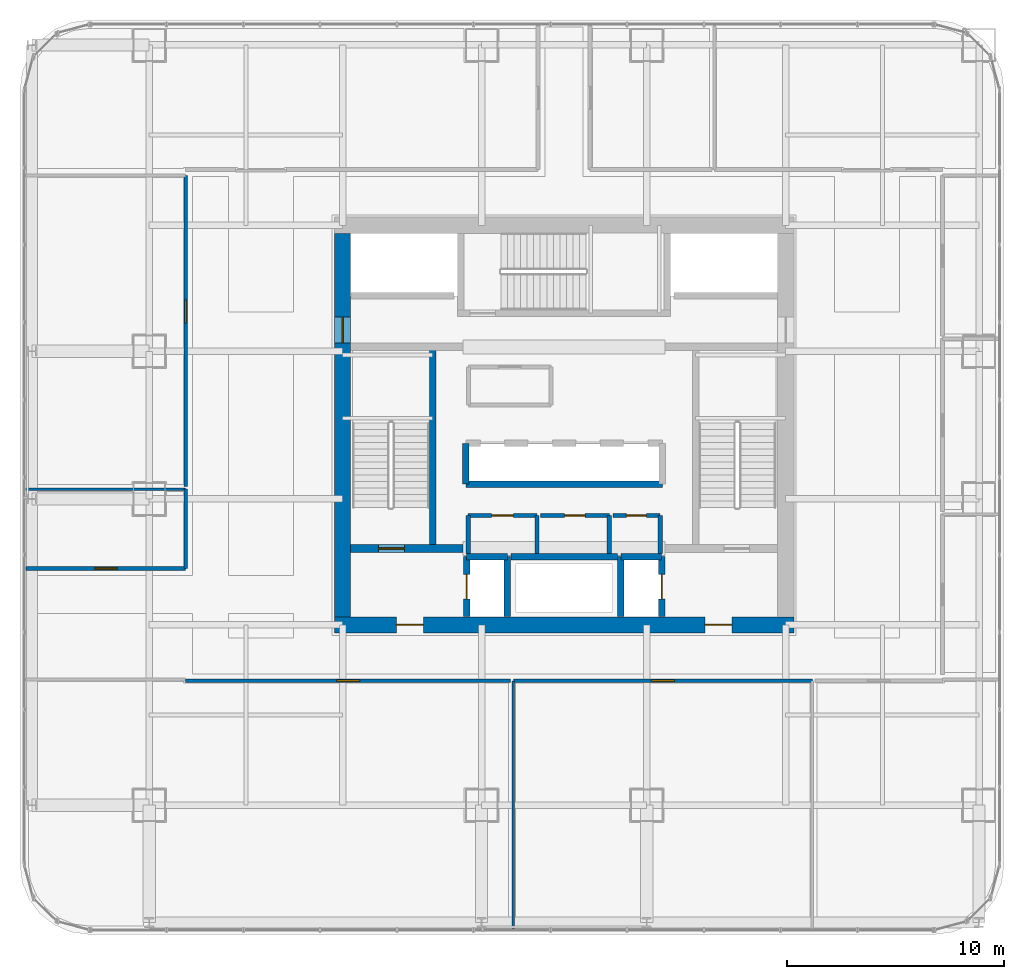
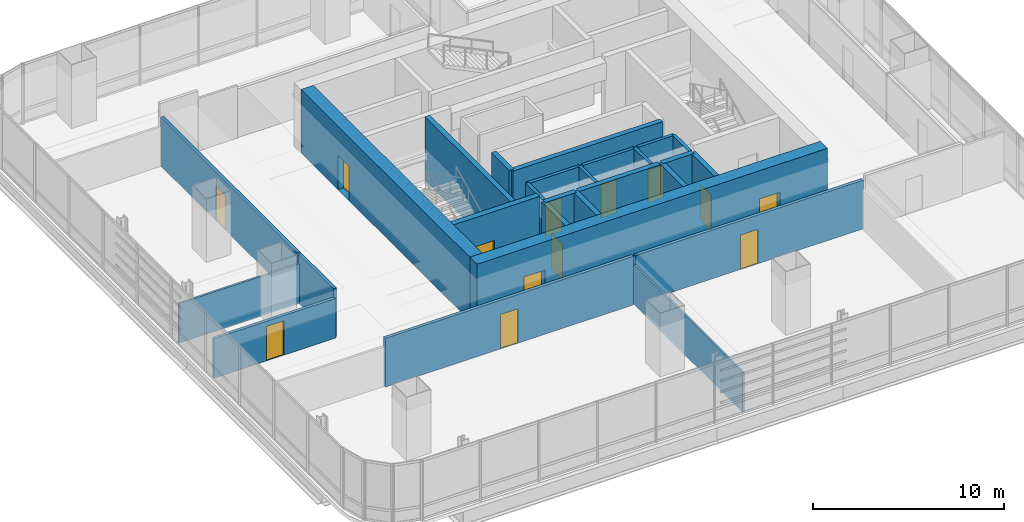
# One storey, part 28 of 36: 27 walls, 13 doors, 13 openings.
"""IFC4 building model written with IfcOpenShell, lengths in metres."""

from ifc_helpers import new_model, si_unit, direction, frame, frame_2d, origin, place, context, subcontext, project, spatial, rectangle, extrude, material, layer, layer_set, type_object, element, fill, save


model = new_model("IFC4")

# Units and contexts
model_context = context("Model", 3, precision=1e-05, world=origin(), true_north=direction((0.0, 1.0)))
body_context = subcontext(model_context, "Body", "Model", "MODEL_VIEW")
ifc_project = project(units=[si_unit("LENGTHUNIT", "METRE"), si_unit("AREAUNIT", "SQUARE_METRE"), si_unit("VOLUMEUNIT", "CUBIC_METRE"), si_unit("PLANEANGLEUNIT", "RADIAN"), si_unit("MASSUNIT", "GRAM", prefix="KILO")], contexts=[model_context])

# Site, building, storey
site_placement = place(None, origin())
site = spatial("IfcSite", under=ifc_project, at=site_placement, CompositionType="ELEMENT")
building_placement = place(site_placement, origin())
building = spatial("IfcBuilding", under=site, at=building_placement, Name="Punatoya Terracotta Tower", CompositionType="ELEMENT")
storey_placement = place(building_placement, frame((0.0, 0.0, 32.25)))
storey = spatial("IfcBuildingStorey", under=building, at=storey_placement, Name="L06", CompositionType="ELEMENT", Elevation=32.25)

# Wall, openings, doors
ifc_material_1 = material(Name="Concrete C60/75", Category="concrete")
ifc_layer_1 = layer(ifc_material_1, 0.75)
ifc_layer_set_1 = layer_set([ifc_layer_1], Name="Concrete C60/75")
wall_type_1 = type_object("IfcWallType", Name="WL-COR-750", PredefinedType="SHEAR", material=ifc_layer_set_1)
wall_1_placement = place(storey_placement, frame((10.574951171875, -9.199951171875, 0.0), z_axis=(0.0, 0.0, 1.0), x_axis=(-1.0, 0.0, 0.0)))
wall_1 = element("IfcWall", 1, at=wall_1_placement, inside=storey, type_object=wall_type_1, Name="L06 Core Shear Wall S", PredefinedType="SHEAR", context=body_context, shape_type="SweptSolid", body=[
    extrude(rectangle(XDim=21.14990234375, YDim=0.75, at=frame_2d((10.574951171875, 0.0))), origin(), (0.0, 0.0, 1.0), 4.050048828125),
])
opening_1_placement = place(wall_1_placement, frame((2.85009765625, 0.0, 0.0)))
opening_1 = element("IfcOpeningElement", 2, at=opening_1_placement, cuts=wall_1, Name="Opening FD-L1", PredefinedType="OPENING", context=body_context, shape_type="SweptSolid", body=[
    extrude(rectangle(XDim=1.25, YDim=2.25, at=frame_2d((0.625, 1.125))), frame((0.0, 0.385009765625, 0.0), z_axis=(0.0, -1.0, 0.0), x_axis=(1.0, 0.0, 0.0)), (0.0, 0.0, 1.0), 0.77001953125),
])
opening_2_placement = place(wall_1_placement, frame((17.050048828125, 0.0, 0.0)))
opening_2 = element("IfcOpeningElement", 3, at=opening_2_placement, cuts=wall_1, Name="Opening FD-L1", PredefinedType="OPENING", context=body_context, shape_type="SweptSolid", body=[
    extrude(rectangle(XDim=1.25, YDim=2.25, at=frame_2d((0.625, 1.125))), frame((0.0, 0.385009765625, 0.0), z_axis=(0.0, -1.0, 0.0), x_axis=(1.0, 0.0, 0.0)), (0.0, 0.0, 1.0), 0.77001953125),
])
ifc_material_2 = material(Name="Galvanised Steel Smokeproof Fire Door", Category="steel")
door_type_1 = type_object("IfcDoorType", Name="DR-FFL-1250", OperationType="NOTDEFINED", PredefinedType="DOOR", material=ifc_material_2)
door_1_placement = place(opening_1_placement, origin())
door_1 = element("IfcDoor", 4, at=door_1_placement, inside=storey, type_object=door_type_1, Name="L06 East Firefighting Lobby Corridor Fire Door", OperationType="SINGLE_SWING_LEFT", OverallHeight=2.25, OverallWidth=1.25, PredefinedType="DOOR", context=body_context, shape_type="SweptSolid", body=[
    extrude(rectangle(XDim=1.25, YDim=2.25, at=frame_2d((0.625, 1.125))), frame((0.0, 0.02490234375, 0.0), z_axis=(0.0, -1.0, 0.0), x_axis=(1.0, 0.0, 0.0)), (0.0, 0.0, 1.0), 0.050048828125),
])
fill(opening_1, door_1)
door_2_placement = place(opening_2_placement, origin())
door_2 = element("IfcDoor", 5, at=door_2_placement, inside=storey, type_object=door_type_1, Name="L06 West Firefighting Lobby Corridor Fire Door", OperationType="SINGLE_SWING_RIGHT", OverallHeight=2.25, OverallWidth=1.25, PredefinedType="DOOR", context=body_context, shape_type="SweptSolid", body=[
    extrude(rectangle(XDim=1.25, YDim=2.25, at=frame_2d((0.625, 1.125))), frame((0.0, 0.02490234375, 0.0), z_axis=(0.0, -1.0, 0.0), x_axis=(1.0, 0.0, 0.0)), (0.0, 0.0, 1.0), 0.050048828125),
])
fill(opening_2, door_2)

# Wall, opening, door
wall_2_placement = place(storey_placement, frame((-10.199951171875, -8.824951171875, 0.0), z_axis=(0.0, 0.0, 1.0), x_axis=(0.0, 1.0, 0.0)))
wall_2 = element("IfcWall", 6, at=wall_2_placement, inside=storey, type_object=wall_type_1, Name="L06 Core Shear Wall W", PredefinedType="SHEAR", context=body_context, shape_type="SweptSolid", body=[
    extrude(rectangle(XDim=17.64990234375, YDim=0.75, at=frame_2d((8.824951171875, 0.0))), origin(), (0.0, 0.0, 1.0), 4.050048828125),
])
opening_3_placement = place(wall_2_placement, frame((12.614990234375, 0.0, 0.0)))
opening_3 = element("IfcOpeningElement", 7, at=opening_3_placement, cuts=wall_2, Name="Opening SD-01", PredefinedType="OPENING", context=body_context, shape_type="SweptSolid", body=[
    extrude(rectangle(XDim=1.179931640625, YDim=2.199951171875, at=frame_2d((0.58984375, 1.10009765625))), frame((0.0, 0.385009765625, 0.0), z_axis=(0.0, -1.0, 0.0), x_axis=(1.0, 0.0, 0.0)), (0.0, 0.0, 1.0), 0.77001953125),
])
ifc_material_3 = material(Name="Galvanised Steel Pressurized Stair Fire Door", Category="steel")
door_type_2 = type_object("IfcDoorType", Name="DR-STR-1180", OperationType="NOTDEFINED", PredefinedType="DOOR", material=ifc_material_3)
door_3_placement = place(opening_3_placement, origin())
door_3 = element("IfcDoor", 8, at=door_3_placement, inside=storey, type_object=door_type_2, Name="L06 Central Lift Lobby West Fire Door", OperationType="SINGLE_SWING_LEFT", OverallHeight=2.199951171875, OverallWidth=1.179931640625, PredefinedType="DOOR", context=body_context, shape_type="SweptSolid", body=[
    extrude(rectangle(XDim=1.179931640625, YDim=2.199951171875, at=frame_2d((0.58984375, 1.10009765625))), frame((0.0, 0.02490234375, 0.0), z_axis=(0.0, -1.0, 0.0), x_axis=(1.0, 0.0, 0.0)), (0.0, 0.0, 1.0), 0.050048828125),
])
fill(opening_3, door_3)

ifc_material_4 = material(Name="Gypsum Fireboard + Steel Stud", Category="steel")
ifc_layer_2 = layer(ifc_material_4, 0.179931640625)
ifc_layer_set_2 = layer_set([ifc_layer_2], Name="Gypsum Fireboard + Steel Stud")
wall_type_2 = type_object("IfcWallType", Name="WL-CORR-180", PredefinedType="PARTITIONING", material=ifc_layer_set_2)
wall_3_placement = place(storey_placement, frame((-2.340087890625, -11.77001953125, 0.0), z_axis=(0.0, 0.0, 1.0), x_axis=(1.0, 0.0, 0.0)))
wall_3 = element("IfcWall", 9, at=wall_3_placement, inside=storey, type_object=wall_type_2, Name="L06 Open Workplace Studio Partition 14", PredefinedType="PARTITIONING", context=body_context, shape_type="SweptSolid", body=[
    extrude(rectangle(XDim=13.77001953125, YDim=0.179931640625, at=frame_2d((6.885009765625, 0.0))), origin(), (0.0, 0.0, 1.0), 3.10400390625),
])
opening_4_placement = place(wall_3_placement, frame((6.360107421875, 0.0, 0.0)))
opening_4 = element("IfcOpeningElement", 10, at=opening_4_placement, cuts=wall_3, Name="Opening OD-01", PredefinedType="OPENING", context=body_context, shape_type="SweptSolid", body=[
    extrude(rectangle(XDim=1.050048828125, YDim=2.199951171875, at=frame_2d((0.52490234375, 1.10009765625))), frame((0.0, 0.099853515625, 0.0), z_axis=(0.0, -1.0, 0.0), x_axis=(1.0, 0.0, 0.0)), (0.0, 0.0, 1.0), 0.199951171875),
])
ifc_material_5 = material(Name="Bengal Teak Solid-Core Leaf")
door_type_3 = type_object("IfcDoorType", Name="DR-OFF-1050", OperationType="NOTDEFINED", PredefinedType="DOOR", material=ifc_material_5)
door_4_placement = place(opening_4_placement, origin())
door_4 = element("IfcDoor", 11, at=door_4_placement, inside=storey, type_object=door_type_3, Name="L06 Open Workplace Studio Door", OperationType="SINGLE_SWING_RIGHT", OverallHeight=2.199951171875, OverallWidth=1.050048828125, PredefinedType="DOOR", context=body_context, shape_type="SweptSolid", body=[
    extrude(rectangle(XDim=1.050048828125, YDim=2.199951171875, at=frame_2d((0.52490234375, 1.10009765625))), frame((0.0, 0.02490234375, 0.0), z_axis=(0.0, -1.0, 0.0), x_axis=(1.0, 0.0, 0.0)), (0.0, 0.0, 1.0), 0.050048828125),
])
fill(opening_4, door_4)

wall_4_placement = place(storey_placement, frame((-17.419921875, -11.77001953125, 0.0), z_axis=(0.0, 0.0, 1.0), x_axis=(1.0, 0.0, 0.0)))
wall_4 = element("IfcWall", 12, at=wall_4_placement, inside=storey, type_object=wall_type_2, Name="L06 Analytical Practice Office Partition 15", PredefinedType="PARTITIONING", context=body_context, shape_type="SweptSolid", body=[
    extrude(rectangle(XDim=14.9599609375, YDim=0.179931640625, at=frame_2d((7.47998046875, 0.0))), origin(), (0.0, 0.0, 1.0), 3.10400390625),
])
opening_5_placement = place(wall_4_placement, frame((6.955078125, 0.0, 0.0)))
opening_5 = element("IfcOpeningElement", 13, at=opening_5_placement, cuts=wall_4, Name="Opening OD-01", PredefinedType="OPENING", context=body_context, shape_type="SweptSolid", body=[
    extrude(rectangle(XDim=1.050048828125, YDim=2.199951171875, at=frame_2d((0.52490234375, 1.10009765625))), frame((0.0, 0.099853515625, 0.0), z_axis=(0.0, -1.0, 0.0), x_axis=(1.0, 0.0, 0.0)), (0.0, 0.0, 1.0), 0.199951171875),
])
door_5_placement = place(opening_5_placement, origin())
door_5 = element("IfcDoor", 14, at=door_5_placement, inside=storey, type_object=door_type_3, Name="L06 Analytical Practice Office Door", OperationType="SINGLE_SWING_LEFT", OverallHeight=2.199951171875, OverallWidth=1.050048828125, PredefinedType="DOOR", context=body_context, shape_type="SweptSolid", body=[
    extrude(rectangle(XDim=1.050048828125, YDim=2.199951171875, at=frame_2d((0.52490234375, 1.10009765625))), frame((0.0, 0.02490234375, 0.0), z_axis=(0.0, -1.0, 0.0), x_axis=(1.0, 0.0, 0.0)), (0.0, 0.0, 1.0), 0.050048828125),
])
fill(opening_5, door_5)

wall_5_placement = place(storey_placement, frame((-17.419921875, -6.60009765625, 0.0), z_axis=(0.0, 0.0, 1.0), x_axis=(-1.0, 0.0, 0.0)))
wall_5 = element("IfcWall", 15, at=wall_5_placement, inside=storey, type_object=wall_type_2, Name="L06 Open-Plan Digital Reference Library Partition 21", PredefinedType="PARTITIONING", context=body_context, shape_type="SweptSolid", body=[
    extrude(rectangle(XDim=7.35009765625, YDim=0.179931640625, at=frame_2d((3.675048828125, 0.0))), origin(), (0.0, 0.0, 1.0), 2.52392578125),
])
opening_6_placement = place(wall_5_placement, frame((3.14990234375, 0.0, 0.0)))
opening_6 = element("IfcOpeningElement", 16, at=opening_6_placement, cuts=wall_5, Name="Opening OD-01", PredefinedType="OPENING", context=body_context, shape_type="SweptSolid", body=[
    extrude(rectangle(XDim=1.050048828125, YDim=2.199951171875, at=frame_2d((0.52490234375, 1.10009765625))), frame((0.0, 0.099853515625, 0.0), z_axis=(0.0, -1.0, 0.0), x_axis=(1.0, 0.0, 0.0)), (0.0, 0.0, 1.0), 0.199951171875),
])
door_6_placement = place(opening_6_placement, origin())
door_6 = element("IfcDoor", 17, at=door_6_placement, inside=storey, type_object=door_type_3, Name="L06 Open-Plan Digital Reference Library Door", OperationType="SINGLE_SWING_RIGHT", OverallHeight=2.199951171875, OverallWidth=1.050048828125, PredefinedType="DOOR", context=body_context, shape_type="SweptSolid", body=[
    extrude(rectangle(XDim=1.050048828125, YDim=2.199951171875, at=frame_2d((0.52490234375, 1.10009765625))), frame((0.0, 0.02490234375, 0.0), z_axis=(0.0, -1.0, 0.0), x_axis=(1.0, 0.0, 0.0)), (0.0, 0.0, 1.0), 0.050048828125),
])
fill(opening_6, door_6)

# Wall
wall_6_placement = place(storey_placement, frame((-17.419921875, -2.947998046875, 0.0), z_axis=(0.0, 0.0, 1.0), x_axis=(0.0, -1.0, 0.0)))
element("IfcWall", 18, at=wall_6_placement, inside=storey, type_object=wall_type_2, Name="L06 Open-Plan Digital Reference Library Partition 23", PredefinedType="PARTITIONING", context=body_context, shape_type="SweptSolid", body=[
    extrude(rectangle(XDim=3.652099609375, YDim=0.179931640625, at=frame_2d((1.826171875, 0.0))), origin(), (0.0, 0.0, 1.0), 3.10400390625),
])

# Wall, opening, door
wall_7_placement = place(storey_placement, frame((-17.419921875, 11.489990234375, 0.0), z_axis=(0.0, 0.0, 1.0), x_axis=(0.0, -1.0, 0.0)))
wall_7 = element("IfcWall", 19, at=wall_7_placement, inside=storey, type_object=wall_type_2, Name="L06 Open-Plan Wellness Quiet Room Partition 27", PredefinedType="PARTITIONING", context=body_context, shape_type="SweptSolid", body=[
    extrude(rectangle(XDim=14.31787109375, YDim=0.179931640625, at=frame_2d((7.158935546875, 0.0))), origin(), (0.0, 0.0, 1.0), 3.10400390625),
])
opening_7_placement = place(wall_7_placement, frame((5.73388671875, 0.0, 0.0)))
opening_7 = element("IfcOpeningElement", 20, at=opening_7_placement, cuts=wall_7, Name="Opening OD-01", PredefinedType="OPENING", context=body_context, shape_type="SweptSolid", body=[
    extrude(rectangle(XDim=1.050048828125, YDim=2.199951171875, at=frame_2d((0.52490234375, 1.10009765625))), frame((0.0, 0.099853515625, 0.0), z_axis=(0.0, -1.0, 0.0), x_axis=(1.0, 0.0, 0.0)), (0.0, 0.0, 1.0), 0.199951171875),
])
door_7_placement = place(opening_7_placement, origin())
door_7 = element("IfcDoor", 21, at=door_7_placement, inside=storey, type_object=door_type_3, Name="L06 Open-Plan Wellness Quiet Room Door", OperationType="SINGLE_SWING_RIGHT", OverallHeight=2.199951171875, OverallWidth=1.050048828125, PredefinedType="DOOR", context=body_context, shape_type="SweptSolid", body=[
    extrude(rectangle(XDim=1.050048828125, YDim=2.199951171875, at=frame_2d((0.52490234375, 1.10009765625))), frame((0.0, 0.02490234375, 0.0), z_axis=(0.0, -1.0, 0.0), x_axis=(1.0, 0.0, 0.0)), (0.0, 0.0, 1.0), 0.050048828125),
])
fill(opening_7, door_7)

# Wall
ifc_material_6 = material(Name="Concrete C40/50", Category="concrete")
ifc_layer_3 = layer(ifc_material_6, 0.199951171875)
ifc_layer_set_3 = layer_set([ifc_layer_3], Name="Concrete C40/50")
wall_type_3 = type_object("IfcWallType", Name="WL-INT-200", PredefinedType="SOLIDWALL", material=ifc_layer_set_3)
wall_8_placement = place(storey_placement, frame((-1.25, -5.89990234375, 0.0), z_axis=(0.0, 0.0, 1.0), x_axis=(0.0, 1.0, 0.0)))
element("IfcWall", 22, at=wall_8_placement, inside=storey, type_object=wall_type_3, Name="L06 Accessible Universal Washroom Partition 01", PredefinedType="SOLIDWALL", context=body_context, shape_type="SweptSolid", body=[
    extrude(rectangle(XDim=1.739990234375, YDim=0.199951171875, at=frame_2d((0.8701171875, 0.0))), origin(), (0.0, 0.0, 1.0), 3.81005859375),
])

# Wall, opening, door
wall_9_placement = place(storey_placement, frame((-1.25, -4.159912109375, 0.0), z_axis=(0.0, 0.0, 1.0), x_axis=(-1.0, 0.0, 0.0)))
wall_9 = element("IfcWall", 23, at=wall_9_placement, inside=storey, type_object=wall_type_3, Name="L06 Accessible Universal Washroom Partition 02", PredefinedType="SOLIDWALL", context=body_context, shape_type="SweptSolid", body=[
    extrude(rectangle(XDim=3.169921875, YDim=0.199951171875, at=frame_2d((1.5849609375, 0.0))), origin(), (0.0, 0.0, 1.0), 3.81005859375),
])
opening_8_placement = place(wall_9_placement, frame((1.0849609375, 0.0, 0.0)))
opening_8 = element("IfcOpeningElement", 24, at=opening_8_placement, cuts=wall_9, Name="Opening AWD-1", PredefinedType="OPENING", context=body_context, shape_type="SweptSolid", body=[
    extrude(rectangle(XDim=1.0, YDim=2.14990234375, at=frame_2d((0.5, 1.074951171875))), frame((0.0, 0.10986328125, 0.0), z_axis=(0.0, -1.0, 0.0), x_axis=(1.0, 0.0, 0.0)), (0.0, 0.0, 1.0), 0.219970703125),
])
ifc_material_7 = material(Name="Bengal Teak Accessible WC Leaf")
door_type_4 = type_object("IfcDoorType", Name="DR-ACC-1000", OperationType="NOTDEFINED", PredefinedType="DOOR", material=ifc_material_7)
door_8_placement = place(opening_8_placement, origin())
door_8 = element("IfcDoor", 25, at=door_8_placement, inside=storey, type_object=door_type_4, Name="L06 Accessible Universal Washroom Door", OperationType="SINGLE_SWING_RIGHT", OverallHeight=2.14990234375, OverallWidth=1.0, PredefinedType="DOOR", context=body_context, shape_type="SweptSolid", body=[
    extrude(rectangle(XDim=1.0, YDim=2.14990234375, at=frame_2d((0.5, 1.074951171875))), frame((0.0, 0.02490234375, 0.0), z_axis=(0.0, -1.0, 0.0), x_axis=(1.0, 0.0, 0.0)), (0.0, 0.0, 1.0), 0.050048828125),
])
fill(opening_8, door_8)

# Walls
for number, where, z_axis, x_axis, name in (
    (26, (-4.419921875, -4.159912109375, 0.0), (0.0, 0.0, 1.0), (0.0, -1.0, 0.0), "L06 Accessible Universal Washroom Partition 03"),
    (27, (2.080078125, -5.89990234375, 0.0), (0.0, 0.0, 1.0), (0.0, 1.0, 0.0), "L06 All-Gender Universal Washroom Partition 04"),
):
    element("IfcWall", number, at=place(storey_placement, frame(where, z_axis=z_axis, x_axis=x_axis)), inside=storey, type_object=wall_type_3, Name=name, PredefinedType="SOLIDWALL", context=body_context, shape_type="SweptSolid", body=[
        extrude(rectangle(XDim=1.739990234375, YDim=0.199951171875, at=frame_2d((0.8701171875, 0.0))), origin(), (0.0, 0.0, 1.0), 3.81005859375),
    ])

# Wall, opening, door
wall_10_placement = place(storey_placement, frame((2.080078125, -4.159912109375, 0.0), z_axis=(0.0, 0.0, 1.0), x_axis=(-1.0, 0.0, 0.0)))
wall_10 = element("IfcWall", 28, at=wall_10_placement, inside=storey, type_object=wall_type_3, Name="L06 All-Gender Universal Washroom Partition 05", PredefinedType="SOLIDWALL", context=body_context, shape_type="SweptSolid", body=[
    extrude(rectangle(XDim=3.170166015625, YDim=0.199951171875, at=frame_2d((1.5849609375, 0.0))), origin(), (0.0, 0.0, 1.0), 3.81005859375),
])
opening_9_placement = place(wall_10_placement, frame((1.110107421875, 0.0, 0.0)))
opening_9 = element("IfcOpeningElement", 29, at=opening_9_placement, cuts=wall_10, Name="Opening WD-01", PredefinedType="OPENING", context=body_context, shape_type="SweptSolid", body=[
    extrude(rectangle(XDim=0.949951171875, YDim=2.14990234375, at=frame_2d((0.47509765625, 1.074951171875))), frame((0.0, 0.10986328125, 0.0), z_axis=(0.0, -1.0, 0.0), x_axis=(1.0, 0.0, 0.0)), (0.0, 0.0, 1.0), 0.219970703125),
])
ifc_material_8 = material(Name="Moisture-Resistant Laminate Timber Leaf", Category="wood")
door_type_5 = type_object("IfcDoorType", Name="DR-WC-950", OperationType="NOTDEFINED", PredefinedType="DOOR", material=ifc_material_8)
door_9_placement = place(opening_9_placement, origin())
door_9 = element("IfcDoor", 30, at=door_9_placement, inside=storey, type_object=door_type_5, Name="L06 All-Gender Universal Washroom Door", OperationType="SINGLE_SWING_LEFT", OverallHeight=2.14990234375, OverallWidth=0.949951171875, PredefinedType="DOOR", context=body_context, shape_type="SweptSolid", body=[
    extrude(rectangle(XDim=0.949951171875, YDim=2.14990234375, at=frame_2d((0.47509765625, 1.074951171875))), frame((0.0, 0.02490234375, 0.0), z_axis=(0.0, -1.0, 0.0), x_axis=(1.0, 0.0, 0.0)), (0.0, 0.0, 1.0), 0.050048828125),
])
fill(opening_9, door_9)

# Wall
wall_11_placement = place(storey_placement, frame((4.419921875, -5.89990234375, 0.0), z_axis=(0.0, 0.0, 1.0), x_axis=(0.0, 1.0, 0.0)))
element("IfcWall", 31, at=wall_11_placement, inside=storey, type_object=wall_type_3, Name="L06 Core Electrical Switchgear Room Partition 06", PredefinedType="SOLIDWALL", context=body_context, shape_type="SweptSolid", body=[
    extrude(rectangle(XDim=1.739990234375, YDim=0.199951171875, at=frame_2d((0.8701171875, 0.0))), origin(), (0.0, 0.0, 1.0), 3.81005859375),
])

# Wall, opening, door
wall_12_placement = place(storey_placement, frame((4.419921875, -4.159912109375, 0.0), z_axis=(0.0, 0.0, 1.0), x_axis=(-1.0, 0.0, 0.0)))
wall_12 = element("IfcWall", 32, at=wall_12_placement, inside=storey, type_object=wall_type_3, Name="L06 Core Electrical Switchgear Room Partition 07", PredefinedType="SOLIDWALL", context=body_context, shape_type="SweptSolid", body=[
    extrude(rectangle(XDim=2.179931640625, YDim=0.199951171875, at=frame_2d((1.08984375, 0.0))), origin(), (0.0, 0.0, 1.0), 3.81005859375),
])
opening_10_placement = place(wall_12_placement, frame((0.6298828125, 0.0, 0.0)))
opening_10 = element("IfcOpeningElement", 33, at=opening_10_placement, cuts=wall_12, Name="Opening FD-R1", PredefinedType="OPENING", context=body_context, shape_type="SweptSolid", body=[
    extrude(rectangle(XDim=0.919921875, YDim=2.10009765625, at=frame_2d((0.4599609375, 1.050048828125))), frame((0.0, 0.10986328125, 0.0), z_axis=(0.0, -1.0, 0.0), x_axis=(1.0, 0.0, 0.0)), (0.0, 0.0, 1.0), 0.219970703125),
])
ifc_material_9 = material(Name="Galvanised Steel Riser Fire Access Door", Category="steel")
door_type_6 = type_object("IfcDoorType", Name="DR-RSR-920", OperationType="NOTDEFINED", PredefinedType="DOOR", material=ifc_material_9)
door_10_placement = place(opening_10_placement, origin())
door_10 = element("IfcDoor", 34, at=door_10_placement, inside=storey, type_object=door_type_6, Name="L06 Core Electrical Switchgear Room Fire Door", OperationType="SINGLE_SWING_RIGHT", OverallHeight=2.10009765625, OverallWidth=0.919921875, PredefinedType="DOOR", context=body_context, shape_type="SweptSolid", body=[
    extrude(rectangle(XDim=0.919921875, YDim=2.10009765625, at=frame_2d((0.4599609375, 1.050048828125))), frame((0.0, 0.02490234375, 0.0), z_axis=(0.0, -1.0, 0.0), x_axis=(1.0, 0.0, 0.0)), (0.0, 0.0, 1.0), 0.050048828125),
])
fill(opening_10, door_10)

# Walls
ifc_material_10 = material(Name="Gypsum Partition + Steel Stud", Category="steel")
ifc_layer_4 = layer(ifc_material_10, 0.1201171875)
ifc_layer_set_4 = layer_set([ifc_layer_4], Name="Gypsum Partition + Steel Stud")
wall_type_4 = type_object("IfcWallType", Name="WL-OFF-120", PredefinedType="PARTITIONING", material=ifc_layer_set_4)
wall_13_placement = place(storey_placement, frame((-2.340087890625, -23.169921875, 0.0), z_axis=(0.0, 0.0, 1.0), x_axis=(0.0, 1.0, 0.0)))
element("IfcWall", 35, at=wall_13_placement, inside=storey, type_object=wall_type_4, Name="L06 Open Workplace Studio Partition 13", PredefinedType="PARTITIONING", context=body_context, shape_type="SweptSolid", body=[
    extrude(rectangle(XDim=11.39990234375, YDim=0.1201171875, at=frame_2d((5.699951171875, 0.0))), origin(), (0.0, 0.0, 1.0), 2.52392578125),
])
wall_14_placement = place(storey_placement, frame((-24.77001953125, -2.947998046875, 0.0), z_axis=(0.0, 0.0, 1.0), x_axis=(1.0, 0.0, 0.0)))
element("IfcWall", 36, at=wall_14_placement, inside=storey, type_object=wall_type_4, Name="L06 Open-Plan Digital Reference Library Partition 22", PredefinedType="PARTITIONING", context=body_context, shape_type="SweptSolid", body=[
    extrude(rectangle(XDim=7.35009765625, YDim=0.1201171875, at=frame_2d((3.675048828125, 0.0))), origin(), (0.0, 0.0, 1.0), 2.52392578125),
])
ifc_layer_5 = layer(ifc_material_6, 0.300048828125)
ifc_layer_set_5 = layer_set([ifc_layer_5], Name="Concrete C40/50")
wall_type_5 = type_object("IfcWallType", Name="WL-SHF-300", PredefinedType="SOLIDWALL", material=ifc_layer_set_5)
wall_15_placement = place(storey_placement, frame((-6.050048828125, -5.5, 0.0), z_axis=(0.0, 0.0, 1.0), x_axis=(0.0, 1.0, 0.0)))
element("IfcWall", 37, at=wall_15_placement, inside=storey, type_object=wall_type_5, Name="L06 Structural Stair Shaft Wall SW-ST1-E", PredefinedType="SOLIDWALL", context=body_context, shape_type="SweptSolid", body=[
    extrude(rectangle(XDim=8.949951171875, YDim=0.300048828125, at=frame_2d((4.47509765625, 0.0))), origin(), (0.0, 0.0, 1.0), 4.050048828125),
])

# Wall, opening, door
wall_16_placement = place(storey_placement, frame((-4.489990234375, -8.820068359375, 0.0), z_axis=(0.0, 0.0, 1.0), x_axis=(0.0, 1.0, 0.0)))
wall_16 = element("IfcWall", 38, at=wall_16_placement, inside=storey, type_object=wall_type_5, Name="L06 FFL-1 Front Hoistway Wall", PredefinedType="SOLIDWALL", context=body_context, shape_type="SweptSolid", body=[
    extrude(rectangle(XDim=2.77001953125, YDim=0.300048828125, at=frame_2d((1.385009765625, 0.0))), origin(), (0.0, 0.0, 1.0), 3.81005859375),
])
opening_11_placement = place(wall_16_placement, frame((0.824951171875, 0.0, 0.0)))
opening_11 = element("IfcOpeningElement", 39, at=opening_11_placement, cuts=wall_16, Name="Opening LD-02", PredefinedType="OPENING", context=body_context, shape_type="SweptSolid", body=[
    extrude(rectangle(XDim=1.1201171875, YDim=2.25, at=frame_2d((0.56005859375, 1.125))), frame((0.0, 0.159912109375, 0.0), z_axis=(0.0, -1.0, 0.0), x_axis=(1.0, 0.0, 0.0)), (0.0, 0.0, 1.0), 0.320068359375),
])
ifc_material_11 = material(Name="Stainless Steel Lift Landing Door", Category="steel")
door_type_7 = type_object("IfcDoorType", Name="DR-LND-1120", OperationType="NOTDEFINED", PredefinedType="DOOR", material=ifc_material_11)
door_11_placement = place(opening_11_placement, origin())
door_11 = element("IfcDoor", 40, at=door_11_placement, inside=storey, type_object=door_type_7, Name="L06 Firefighting Lift FFL-1 Sliding Landing Door", OperationType="SLIDING_TO_LEFT", OverallHeight=2.25, OverallWidth=1.1201171875, PredefinedType="DOOR", context=body_context, shape_type="SweptSolid", body=[
    extrude(rectangle(XDim=1.1201171875, YDim=2.25, at=frame_2d((0.56005859375, 1.125))), frame((0.0, 0.02490234375, 0.0), z_axis=(0.0, -1.0, 0.0), x_axis=(1.0, 0.0, 0.0)), (0.0, 0.0, 1.0), 0.050048828125),
])
fill(opening_11, door_11)

# Walls
wall_17_placement = place(storey_placement, frame((-2.610107421875, -8.820068359375, 0.0), z_axis=(0.0, 0.0, 1.0), x_axis=(0.0, 1.0, 0.0)))
element("IfcWall", 41, at=wall_17_placement, inside=storey, type_object=wall_type_5, Name="L06 FFL-1 Rear Hoistway Wall", PredefinedType="SOLIDWALL", context=body_context, shape_type="SweptSolid", body=[
    extrude(rectangle(XDim=2.77001953125, YDim=0.300048828125, at=frame_2d((1.385009765625, 0.0))), origin(), (0.0, 0.0, 1.0), 3.81005859375),
])
wall_18_placement = place(storey_placement, frame((-4.489990234375, -6.050048828125, 0.0), z_axis=(0.0, 0.0, 1.0), x_axis=(1.0, 0.0, 0.0)))
element("IfcWall", 42, at=wall_18_placement, inside=storey, type_object=wall_type_5, Name="L06 FFL-1 North Hoistway Wall", PredefinedType="SOLIDWALL", context=body_context, shape_type="SweptSolid", body=[
    extrude(rectangle(XDim=1.8798828125, YDim=0.300048828125, at=frame_2d((0.93994140625, 0.0))), origin(), (0.0, 0.0, 1.0), 3.81005859375),
])

# Wall, opening, door
wall_19_placement = place(storey_placement, frame((4.489990234375, -8.820068359375, 0.0), z_axis=(0.0, 0.0, 1.0), x_axis=(0.0, 1.0, 0.0)))
wall_19 = element("IfcWall", 43, at=wall_19_placement, inside=storey, type_object=wall_type_5, Name="L06 FFL-2 Front Hoistway Wall", PredefinedType="SOLIDWALL", context=body_context, shape_type="SweptSolid", body=[
    extrude(rectangle(XDim=2.77001953125, YDim=0.300048828125, at=frame_2d((1.385009765625, 0.0))), origin(), (0.0, 0.0, 1.0), 3.81005859375),
])
opening_12_placement = place(wall_19_placement, frame((0.824951171875, 0.0, 0.0)))
opening_12 = element("IfcOpeningElement", 44, at=opening_12_placement, cuts=wall_19, Name="Opening LD-02", PredefinedType="OPENING", context=body_context, shape_type="SweptSolid", body=[
    extrude(rectangle(XDim=1.1201171875, YDim=2.25, at=frame_2d((0.56005859375, 1.125))), frame((0.0, 0.159912109375, 0.0), z_axis=(0.0, -1.0, 0.0), x_axis=(1.0, 0.0, 0.0)), (0.0, 0.0, 1.0), 0.320068359375),
])
door_12_placement = place(opening_12_placement, origin())
door_12 = element("IfcDoor", 45, at=door_12_placement, inside=storey, type_object=door_type_7, Name="L06 Firefighting Lift FFL-2 Sliding Landing Door", OperationType="SLIDING_TO_RIGHT", OverallHeight=2.25, OverallWidth=1.1201171875, PredefinedType="DOOR", context=body_context, shape_type="SweptSolid", body=[
    extrude(rectangle(XDim=1.1201171875, YDim=2.25, at=frame_2d((0.56005859375, 1.125))), frame((0.0, 0.02490234375, 0.0), z_axis=(0.0, -1.0, 0.0), x_axis=(1.0, 0.0, 0.0)), (0.0, 0.0, 1.0), 0.050048828125),
])
fill(opening_12, door_12)

# Walls
wall_20_placement = place(storey_placement, frame((2.610107421875, -8.820068359375, 0.0), z_axis=(0.0, 0.0, 1.0), x_axis=(0.0, 1.0, 0.0)))
element("IfcWall", 46, at=wall_20_placement, inside=storey, type_object=wall_type_5, Name="L06 FFL-2 Rear Hoistway Wall", PredefinedType="SOLIDWALL", context=body_context, shape_type="SweptSolid", body=[
    extrude(rectangle(XDim=2.77001953125, YDim=0.300048828125, at=frame_2d((1.385009765625, 0.0))), origin(), (0.0, 0.0, 1.0), 3.81005859375),
])
wall_21_placement = place(storey_placement, frame((2.610107421875, -6.050048828125, 0.0), z_axis=(0.0, 0.0, 1.0), x_axis=(1.0, 0.0, 0.0)))
element("IfcWall", 47, at=wall_21_placement, inside=storey, type_object=wall_type_5, Name="L06 FFL-2 North Hoistway Wall", PredefinedType="SOLIDWALL", context=body_context, shape_type="SweptSolid", body=[
    extrude(rectangle(XDim=1.8798828125, YDim=0.300048828125, at=frame_2d((0.93994140625, 0.0))), origin(), (0.0, 0.0, 1.0), 3.81005859375),
])
wall_22_placement = place(storey_placement, frame((-4.52001953125, -2.719970703125, 0.0), z_axis=(0.0, 0.0, 1.0), x_axis=(1.0, 0.0, 0.0)))
element("IfcWall", 48, at=wall_22_placement, inside=storey, type_object=wall_type_5, Name="L06 South Lift Bank Rear Shaft Wall", PredefinedType="SOLIDWALL", context=body_context, shape_type="SweptSolid", body=[
    extrude(rectangle(XDim=9.0400390625, YDim=0.300048828125, at=frame_2d((4.52001953125, 0.0))), origin(), (0.0, 0.0, 1.0), 3.81005859375),
])
wall_23_placement = place(storey_placement, frame((-4.52001953125, -2.719970703125, 0.0), z_axis=(0.0, 0.0, 1.0), x_axis=(0.0, 1.0, 0.0)))
element("IfcWall", 49, at=wall_23_placement, inside=storey, type_object=wall_type_5, Name="L06 South Lift Bank West End Wall", PredefinedType="SOLIDWALL", context=body_context, shape_type="SweptSolid", body=[
    extrude(rectangle(XDim=1.8798828125, YDim=0.300048828125, at=frame_2d((0.93994140625, 0.0))), origin(), (0.0, 0.0, 1.0), 3.81005859375),
])
wall_24_placement = place(storey_placement, frame((-2.449951171875, -6.050048828125, 0.0), z_axis=(0.0, 0.0, 1.0), x_axis=(1.0, 0.0, 0.0)))
element("IfcWall", 50, at=wall_24_placement, inside=storey, type_object=wall_type_5, Name="L06 Observation Shuttle Rear Hoistway Wall", PredefinedType="SOLIDWALL", context=body_context, shape_type="SweptSolid", body=[
    extrude(rectangle(XDim=4.89990234375, YDim=0.300048828125, at=frame_2d((2.449951171875, 0.0))), origin(), (0.0, 0.0, 1.0), 3.81005859375),
])

# Wall, opening, door
ifc_material_12 = material(Name="Concrete C50/60", Category="concrete")
ifc_layer_6 = layer(ifc_material_12, 0.35009765625)
ifc_layer_set_6 = layer_set([ifc_layer_6], Name="Concrete C50/60")
wall_type_6 = type_object("IfcWallType", Name="WL-SHF-350", PredefinedType="SOLIDWALL", material=ifc_layer_set_6)
wall_25_placement = place(storey_placement, frame((-9.824951171875, -5.679931640625, 0.0), z_axis=(0.0, 0.0, 1.0), x_axis=(1.0, 0.0, 0.0)))
wall_25 = element("IfcWall", 51, at=wall_25_placement, inside=storey, type_object=wall_type_6, Name="L06 Core Web Wall CSW-L", PredefinedType="SOLIDWALL", context=body_context, shape_type="SweptSolid", body=[
    extrude(rectangle(XDim=5.175048828125, YDim=0.35009765625, at=frame_2d((2.58740234375, 0.0))), origin(), (0.0, 0.0, 1.0), 4.050048828125),
])
opening_13_placement = place(wall_25_placement, frame((1.284912109375, 0.0, 0.0)))
opening_13 = element("IfcOpeningElement", 52, at=opening_13_placement, cuts=wall_25, Name="Opening SD-01", PredefinedType="OPENING", context=body_context, shape_type="SweptSolid", body=[
    extrude(rectangle(XDim=1.179931640625, YDim=2.199951171875, at=frame_2d((0.58984375, 1.10009765625))), frame((0.0, 0.18505859375, 0.0), z_axis=(0.0, -1.0, 0.0), x_axis=(1.0, 0.0, 0.0)), (0.0, 0.0, 1.0), 0.3701171875),
])
door_13_placement = place(opening_13_placement, origin())
door_13 = element("IfcDoor", 53, at=door_13_placement, inside=storey, type_object=door_type_2, Name="L06 Stair ST-1 Smokeproof Lobby Fire Door", OperationType="SINGLE_SWING_LEFT", OverallHeight=2.199951171875, OverallWidth=1.179931640625, PredefinedType="DOOR", context=body_context, shape_type="SweptSolid", body=[
    extrude(rectangle(XDim=1.179931640625, YDim=2.199951171875, at=frame_2d((0.58984375, 1.10009765625))), frame((0.0, 0.02490234375, 0.0), z_axis=(0.0, -1.0, 0.0), x_axis=(1.0, 0.0, 0.0)), (0.0, 0.0, 1.0), 0.050048828125),
])
fill(opening_13, door_13)

save(model, "model.ifc")
